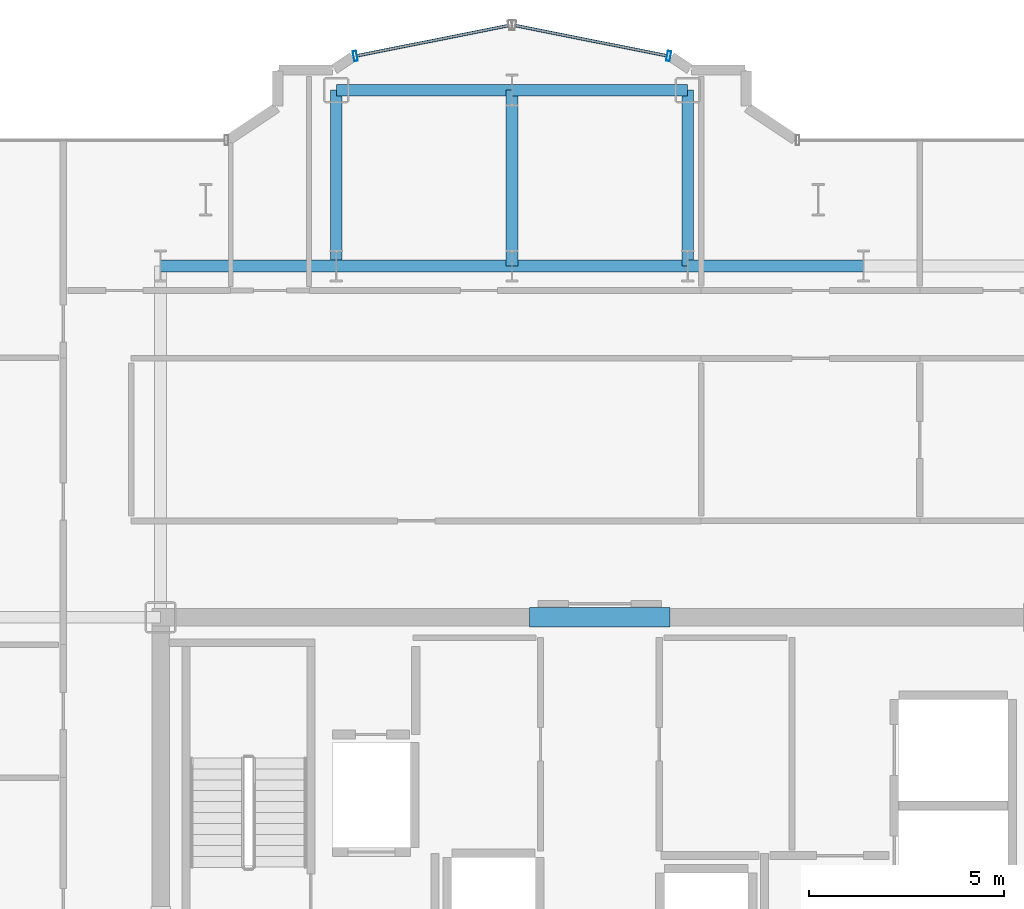
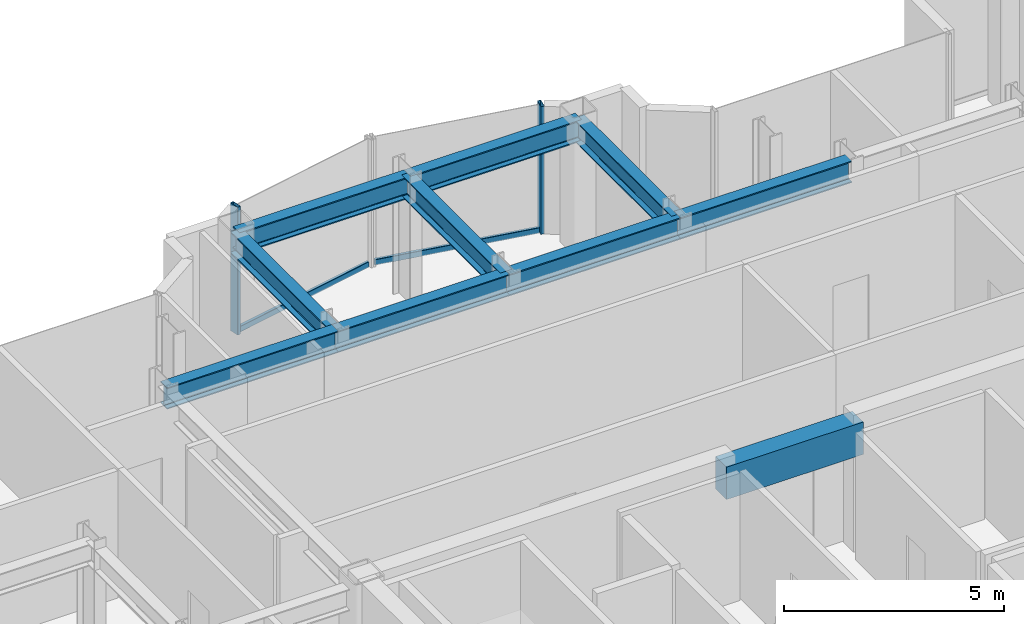
# One storey, part 9 of 20: 10 beams, 4 members, 2 elements without a shape of their own.
"""IFC4 building model written with IfcOpenShell, lengths in metres."""

from ifc_helpers import new_model, si_unit, direction, frame, origin, origin_2d, place, context, subcontext, project, spatial, rectangle, hollow_rectangle, i_section, extrude, source, transform, mapped, material, layer, layer_set, material_profile, profile_set, type_object, element, aggregate, save


model = new_model("IFC4")

# Units and contexts
model_context = context("Model", 3, precision=1e-05, world=origin(), true_north=direction((0.0, 1.0)))
body_context = subcontext(model_context, "Body", "Model", "MODEL_VIEW")
ifc_project = project(units=[si_unit("LENGTHUNIT", "METRE"), si_unit("AREAUNIT", "SQUARE_METRE"), si_unit("VOLUMEUNIT", "CUBIC_METRE"), si_unit("PLANEANGLEUNIT", "RADIAN"), si_unit("MASSUNIT", "GRAM", prefix="KILO")], contexts=[model_context])

# Site, building, storey
site_placement = place(None, origin())
site = spatial("IfcSite", under=ifc_project, at=site_placement, CompositionType="ELEMENT")
building_placement = place(site_placement, origin())
building = spatial("IfcBuilding", under=site, at=building_placement, Name="Nefas-Gora Pilgrimage Tower", CompositionType="ELEMENT")
storey_placement = place(building_placement, frame((0.0, 0.0, 214.199951171875)))
storey = spatial("IfcBuildingStorey", under=building, at=storey_placement, Name="L53", CompositionType="ELEMENT", Elevation=214.199951171875)

# Beams
ifc_material_1 = material(Name="Concrete C50/60", Category="concrete")
ifc_material_profile_1 = material_profile(ifc_material_1, rectangle(XDim=0.5, YDim=0.89990234375, at=origin_2d()), Name="RC 500x900")
ifc_profile_set_1 = profile_set([ifc_material_profile_1], Name="Concrete C50/60")
beam_type_1 = type_object("IfcBeamType", Name="BM-LIN-RC900", PredefinedType="LINTEL", material=ifc_profile_set_1)
shared_shape_1 = source(origin(), body_context, "Body", "SweptSolid", [
    extrude(rectangle(XDim=0.5, YDim=0.89990234375, at=origin_2d()), origin(), (0.0, 0.0, 1.0), 3.60009765625),
])
beam_placement = place(storey_placement, frame((-1.800048828125, 9.0, 3.10009765625), z_axis=(1.0, 0.0, 0.0), x_axis=(0.0, 1.0, 0.0)))
element("IfcBeam", 1, at=beam_placement, inside=storey, type_object=beam_type_1, Name="L53 Core Coupling Lintel Beam N", PredefinedType="LINTEL", context=body_context, shape_type="MappedRepresentation", body=[
    mapped(shared_shape_1, transform((0.0, 0.0, 0.0), x_axis=(1.0, 0.0, 0.0), y_axis=(0.0, 1.0, 0.0), z_axis=(0.0, 0.0, 1.0), scale=1.0)),
])
ifc_material_2 = material(Name="Steel S355", Category="steel")
ifc_material_profile_2 = material_profile(ifc_material_2, i_section(OverallWidth=0.300048828125, OverallDepth=0.60009765625, WebThickness=0.015380859375, FlangeThickness=0.030029296875, FilletRadius=0.027099609375, at=origin_2d()), Name="HEB 600")
ifc_profile_set_2 = profile_set([ifc_material_profile_2], Name="Steel S355")
beam_type_2 = type_object("IfcBeamType", Name="BM-GIR-HEB600", PredefinedType="BEAM", material=ifc_profile_set_2)
shared_shape_2 = source(origin(), body_context, "Body", "SweptSolid", [
    extrude(i_section(OverallWidth=0.300048828125, OverallDepth=0.60009765625, WebThickness=0.015380859375, FlangeThickness=0.030029296875, FilletRadius=0.027099609375, at=origin_2d()), origin(), (0.0, 0.0, 1.0), 4.5),
])
for number, where, z_axis, x_axis, name in (
    (2, (-11.25, 18.0, 3.25), (1.0, 0.0, 0.0), (0.0, 1.0, 0.0), "L53 G-04 beam"),
    (3, (-6.75, 18.0, 3.25), (0.0, 1.0, 0.0), (-1.0, 0.0, 0.0), "L53 G-04 beam"),
    (4, (-6.75, 18.0, 3.25), (1.0, 0.0, 0.0), (0.0, 1.0, 0.0), "L53 G-04 beam"),
    (5, (-6.75, 22.5, 3.25), (1.0, 0.0, 0.0), (0.0, 1.0, 0.0), "L53 G-04 beam"),
    (6, (-2.25, 18.0, 3.25), (0.0, 1.0, 0.0), (-1.0, 0.0, 0.0), "L53 G-04 beam"),
    (7, (-2.25, 18.0, 3.25), (1.0, 0.0, 0.0), (0.0, 1.0, 0.0), "L53 G-04 beam"),
    (8, (-2.25, 22.5, 3.25), (1.0, 0.0, 0.0), (0.0, 1.0, 0.0), "L53 G-04 beam"),
    (9, (2.25, 18.0, 3.25), (0.0, 1.0, 0.0), (-1.0, 0.0, 0.0), "L53 G-04 beam"),
    (10, (2.25, 18.0, 3.25), (1.0, 0.0, 0.0), (0.0, 1.0, 0.0), "L53 G-04 beam"),
):
    element("IfcBeam", number, at=place(storey_placement, frame(where, z_axis=z_axis, x_axis=x_axis)), inside=storey, type_object=beam_type_2, Name=name, PredefinedType="BEAM", context=body_context, shape_type="MappedRepresentation", body=[
        mapped(shared_shape_2, transform((0.0, 0.0, 0.0), x_axis=(1.0, 0.0, 0.0), y_axis=(0.0, 1.0, 0.0), z_axis=(0.0, 0.0, 1.0), scale=1.0)),
    ])

# Curtain wall, member
ifc_material_3 = material(Name="Dark ceramic-fritted solar-control aluminium-glass curtain wall", Category="aluminium")
ifc_layer = layer(ifc_material_3, 0.219970703125)
ifc_layer_set = layer_set([ifc_layer], Name="Dark ceramic-fritted solar-control aluminium-glass curtain wall")
curtain_wall_type = type_object("IfcCurtainWallType", Name="CW-SYS-5", PredefinedType="NOTDEFINED", material=ifc_layer_set)
curtain_wall_1_placement = place(storey_placement, origin())
curtain_wall_1 = element("IfcCurtainWall", 11, at=curtain_wall_1_placement, inside=storey, type_object=curtain_wall_type, Name="L53 Unitised Curtain Wall CW5", PredefinedType="NOTDEFINED")
ifc_material_4 = material(Name="Anodised architectural aluminium", Category="aluminium")
ifc_material_profile_3 = material_profile(ifc_material_4, hollow_rectangle(XDim=0.090087890625, YDim=0.260009765625, WallThickness=0.006103515625, InnerFilletRadius=0.006103515625, OuterFilletRadius=0.011962890625, at=origin_2d()), Name="ALU MULLION 90x260")
ifc_profile_set_3 = profile_set([ifc_material_profile_3], Name="Anodised architectural aluminium")
member_type_1 = type_object("IfcMemberType", Name="CWM-MUL-5", PredefinedType="MULLION", material=ifc_profile_set_3)
shared_shape_3 = source(origin(), body_context, "Body", "SweptSolid", [
    extrude(hollow_rectangle(XDim=0.090087890625, YDim=0.260009765625, WallThickness=0.006103515625, InnerFilletRadius=0.006103515625, OuterFilletRadius=0.011962890625, at=origin_2d()), origin(), (0.0, 0.0, 1.0), 3.550048828125),
])
member_1_placement = place(storey_placement, frame((1.76318359375, 23.3740234375, 0.0), z_axis=(0.0, 0.0, 1.0), x_axis=(-0.980782896852, 0.195102304554, 0.0)))
member_1 = element("IfcMember", 12, at=member_1_placement, type_object=member_type_1, Name="CW5 Mullion 1", PredefinedType="MULLION", context=body_context, shape_type="MappedRepresentation", body=[
    mapped(shared_shape_3, transform((0.0, 0.0, 0.0), x_axis=(1.0, 0.0, 0.0), y_axis=(0.0, 1.0, 0.0), z_axis=(0.0, 0.0, 1.0), scale=1.0)),
])

curtain_wall_2_placement = place(storey_placement, origin())
curtain_wall_2 = element("IfcCurtainWall", 13, at=curtain_wall_2_placement, inside=storey, type_object=curtain_wall_type, Name="L53 Unitised Curtain Wall CW5", PredefinedType="NOTDEFINED")
member_2_placement = place(storey_placement, frame((-6.26318359375, 23.3740234375, 0.0), z_axis=(0.0, 0.0, 1.0), x_axis=(-0.980782896852, -0.195102304554, 0.0)))
member_2 = element("IfcMember", 14, at=member_2_placement, type_object=member_type_1, Name="CW5 Mullion 2", PredefinedType="MULLION", context=body_context, shape_type="MappedRepresentation", body=[
    mapped(shared_shape_3, transform((0.0, 0.0, 0.0), x_axis=(1.0, 0.0, 0.0), y_axis=(0.0, 1.0, 0.0), z_axis=(0.0, 0.0, 1.0), scale=1.0)),
])

# Member
ifc_material_profile_4 = material_profile(ifc_material_4, hollow_rectangle(XDim=0.080078125, YDim=0.159912109375, WallThickness=0.00439453125, InnerFilletRadius=0.00439453125, OuterFilletRadius=0.009033203125, at=origin_2d()), Name="ALU TRANSOM 80x160")
ifc_profile_set_4 = profile_set([ifc_material_profile_4], Name="Anodised architectural aluminium")
member_type_2 = type_object("IfcMemberType", Name="CWM-TRN-5", PredefinedType="USERDEFINED", material=ifc_profile_set_4)
shared_shape_4 = source(origin(), body_context, "Body", "SweptSolid", [
    extrude(hollow_rectangle(XDim=0.080078125, YDim=0.159912109375, WallThickness=0.00439453125, InnerFilletRadius=0.00439453125, OuterFilletRadius=0.009033203125, at=origin_2d()), origin(), (0.0, 0.0, 1.0), 3.95654296875),
])
member_3_placement = place(storey_placement, frame((1.718994140625, 23.3828125, 0.050048828125), z_axis=(-0.980781880918, 0.195107411605, 0.0), x_axis=(-0.195107411605, -0.980781880918, 0.0)))
member_3 = element("IfcMember", 15, at=member_3_placement, type_object=member_type_2, Name="CW5 Spandrel Transom", ObjectType="TRANSOM", PredefinedType="USERDEFINED", context=body_context, shape_type="MappedRepresentation", body=[
    mapped(shared_shape_4, transform((0.0, 0.0, 0.0), x_axis=(1.0, 0.0, 0.0), y_axis=(0.0, 1.0, 0.0), z_axis=(0.0, 0.0, 1.0), scale=1.0)),
])

aggregate(curtain_wall_1, [member_1, member_3])

member_4_placement = place(storey_placement, frame((-2.33837890625, 24.15478515625, 0.050048828125), z_axis=(-0.980781880918, -0.195107411605, 0.0), x_axis=(0.195107411605, -0.980781880918, 0.0)))
member_4 = element("IfcMember", 16, at=member_4_placement, type_object=member_type_2, Name="CW5 Spandrel Transom", ObjectType="TRANSOM", PredefinedType="USERDEFINED", context=body_context, shape_type="MappedRepresentation", body=[
    mapped(shared_shape_4, transform((0.0, 0.0, 0.0), x_axis=(1.0, 0.0, 0.0), y_axis=(0.0, 1.0, 0.0), z_axis=(0.0, 0.0, 1.0), scale=1.0)),
])

aggregate(curtain_wall_2, [member_2, member_4])

save(model, "model.ifc")
